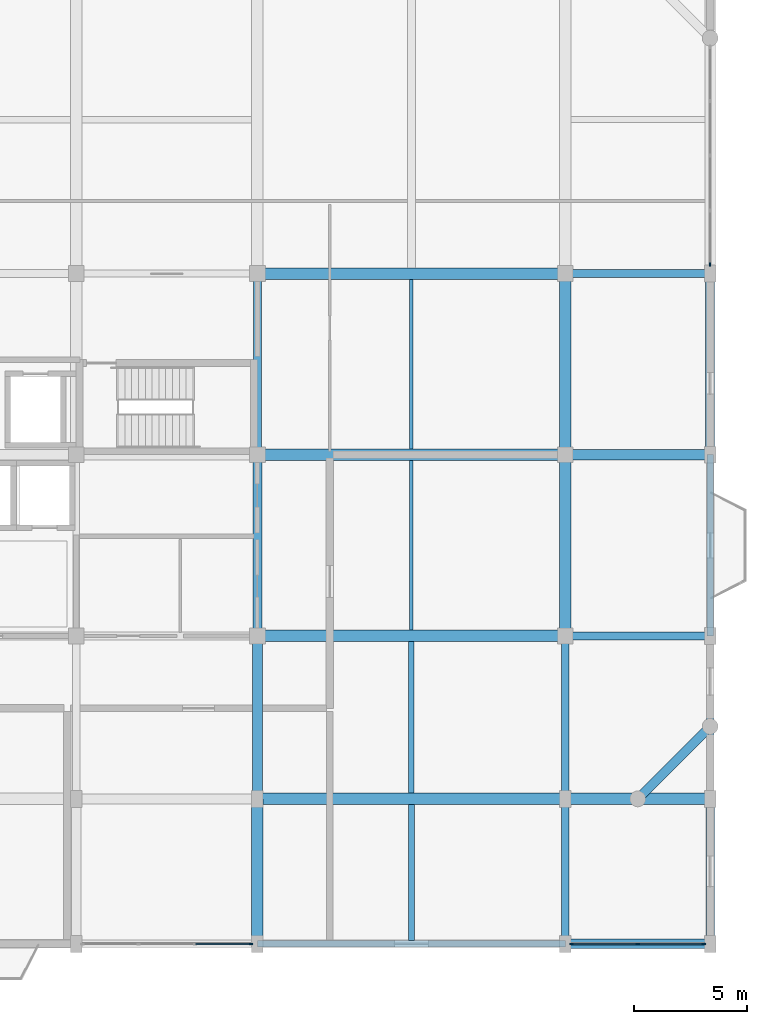
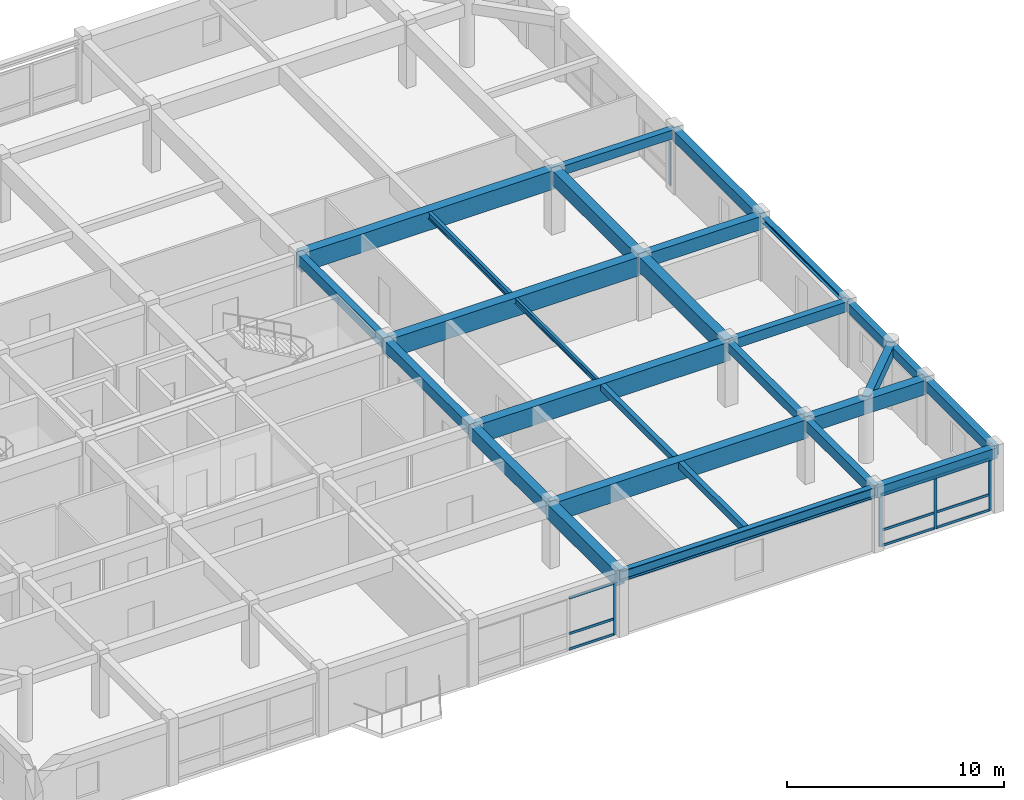
# One storey, part 4 of 13: 27 beams, 14 members, 3 elements without a shape of their own.
"""IFC4 building model written with IfcOpenShell, lengths in metres."""

import ifcopenshell
import ifcopenshell.guid

model = None  # the IFC model being written
_history = None  # IfcOwnerHistory: only IFC2X3 demands one
_inside = {}  # id of a spatial element -> (the spatial element, [elements in it])
_under = {}  # id of a project, library or spatial element -> (it, [spatial elements below it])
_declared = {}  # id of a project -> (the project, [libraries it declares])
_typed = {}  # id of a type object -> (the type object, [elements of that type])
_made_of = {}  # id of a material, layer set ... -> (it, [elements and type objects made of it])


def new_model(schema):
    """Start an empty IFC model of exactly this schema.

    Asked for "IFC4X3", IfcOpenShell would pick the latest addendum, in which some entities
    have other attributes; the version numbers below select the first issue.
    IFC2X3 requires an IfcOwnerHistory on every rooted entity: one is made here for all.
    """
    global model, _history
    if schema == "IFC4X3":
        model = ifcopenshell.file(schema_version=(4, 3, 0, 0))
    else:
        model = ifcopenshell.file(schema=schema)
    _inside.clear()
    _under.clear()
    _declared.clear()
    _typed.clear()
    _made_of.clear()
    _history = None
    if model.schema == "IFC2X3":
        org = make("IfcOrganization", Name="unknown")
        user = make(
            "IfcPersonAndOrganization",
            ThePerson=make("IfcPerson", FamilyName="unknown"),
            TheOrganization=org,
        )
        app = make(
            "IfcApplication",
            ApplicationDeveloper=org,
            Version="unknown",
            ApplicationFullName="unknown",
            ApplicationIdentifier="unknown",
        )
        _history = make(
            "IfcOwnerHistory",
            OwningUser=user,
            OwningApplication=app,
            ChangeAction="ADDED",
            CreationDate=0,
        )
    return model


def make(cls, **values):
    """One entity of the class cls with the attributes given. An attribute that is None is left unset."""
    return model.create_entity(
        cls, **{name: value for name, value in values.items() if value is not None}
    )


def rooted(cls, **values):
    """An entity with a GlobalId (a new one), such as an element, a storey or a relation."""
    return make(cls, GlobalId=ifcopenshell.guid.new(), OwnerHistory=_history, **values)


def si_unit(unit_type, name, prefix=None):
    """IfcSIUnit, for example si_unit("LENGTHUNIT", "METRE", prefix="MILLI")."""
    return make("IfcSIUnit", UnitType=unit_type, Prefix=prefix, Name=name)


def assignment(units):
    """IfcUnitAssignment: the units of a project."""
    return None if units is None else make("IfcUnitAssignment", Units=units)


def point(xyz):
    """IfcCartesianPoint."""
    return None if xyz is None else make("IfcCartesianPoint", Coordinates=xyz)


def direction(xyz):
    """IfcDirection."""
    return None if xyz is None else make("IfcDirection", DirectionRatios=xyz)


def frame(location, z_axis=None, x_axis=None):
    """IfcAxis2Placement3D, a coordinate frame: its origin and axes. An axis left out is left unset."""
    return make(
        "IfcAxis2Placement3D",
        Location=point(location),
        Axis=direction(z_axis),
        RefDirection=direction(x_axis),
    )


def frame_2d(location, x_axis=None):
    """IfcAxis2Placement2D, a coordinate frame in the plane: its origin and x axis."""
    return make(
        "IfcAxis2Placement2D", Location=point(location), RefDirection=direction(x_axis)
    )


def origin():
    """The frame at (0, 0, 0) with its axes left unset."""
    return frame((0.0, 0.0, 0.0))


def origin_2d():
    """The frame at (0, 0) in the plane with its x axis left unset."""
    return frame_2d((0.0, 0.0))


def place(relative_to, where):
    """IfcLocalPlacement: puts the frame where relative to a parent placement (None: the world)."""
    return make(
        "IfcLocalPlacement", PlacementRelTo=relative_to, RelativePlacement=where
    )


def context(
    kind, dimensions, precision=None, world=None, true_north=None, identifier=None
):
    """IfcGeometricRepresentationContext, for example the 3D "Model" context."""
    return make(
        "IfcGeometricRepresentationContext",
        ContextIdentifier=identifier,
        ContextType=kind,
        CoordinateSpaceDimension=dimensions,
        Precision=precision,
        WorldCoordinateSystem=world,
        TrueNorth=true_north,
    )


def subcontext(parent, identifier, kind, view, scale=None):
    """IfcGeometricRepresentationSubContext, for example "Body" below "Model"."""
    return make(
        "IfcGeometricRepresentationSubContext",
        ContextIdentifier=identifier,
        ContextType=kind,
        ParentContext=parent,
        TargetScale=scale,
        TargetView=view,
    )


def project(units=None, contexts=None):
    """IfcProject with its units and contexts."""
    return rooted(
        "IfcProject",
        Name="project",
        RepresentationContexts=contexts,
        UnitsInContext=assignment(units),
    )


def spatial(cls, under=None, at=None, **own):
    """A site, building, storey or space (cls), placed at a placement, below another one or the project."""
    s = rooted(cls, ObjectPlacement=at, **own)
    if under is not None:
        _under.setdefault(under.id(), (under, []))[1].append(s)
    return s


def profile(cls, at=None, kind="AREA", **sizes):
    """A parametric profile (cls). Its sizes go by their IFC names, for example OverallWidth=200.0."""
    return make(cls, ProfileType=kind, Position=at, **sizes)


def rectangle(**sizes):
    """IfcRectangleProfileDef."""
    return profile("IfcRectangleProfileDef", **sizes)


def i_section(**sizes):
    """IfcIShapeProfileDef."""
    return profile("IfcIShapeProfileDef", **sizes)


def extrude(swept, where, along, depth):
    """IfcExtrudedAreaSolid: the profile swept, set in the frame where, extruded along a direction by depth."""
    return make(
        "IfcExtrudedAreaSolid",
        SweptArea=swept,
        Position=where,
        ExtrudedDirection=direction(along),
        Depth=depth,
    )


def shape(context_of_items, identifier, shape_type, items):
    """IfcShapeRepresentation: the items that make up one representation, for example the "Body"."""
    return make(
        "IfcShapeRepresentation",
        ContextOfItems=context_of_items,
        RepresentationIdentifier=identifier,
        RepresentationType=shape_type,
        Items=items,
    )


def material(Name=None, Category=None):
    """IfcMaterial."""
    return make("IfcMaterial", Name=Name, Category=Category)


def material_profile(
    of_material, cross_section, Name=None, Category=None, Priority=None
):
    """IfcMaterialProfile: a cross section and its material."""
    return make(
        "IfcMaterialProfile",
        Name=Name,
        Material=of_material,
        Profile=cross_section,
        Priority=Priority,
        Category=Category,
    )


def profile_set(profiles, Name=None, composite=None):
    """IfcMaterialProfileSet."""
    return make(
        "IfcMaterialProfileSet",
        Name=Name,
        MaterialProfiles=profiles,
        CompositeProfile=composite,
    )


def made_of(thing, what):
    """Note that an element or type object is made of a material, layer set ...; save() writes the relation."""
    if what is not None:
        _made_of.setdefault(what.id(), (what, []))[1].append(thing)
    return thing


def type_object(cls, material=None, **own):
    """A type object (cls), such as IfcWallType, which elements share."""
    return made_of(rooted(cls, **own), material)


def element(
    cls,
    number,
    at=None,
    inside=None,
    cuts=None,
    type_object=None,
    material=None,
    context=None,
    identifier="Body",
    shape_type=None,
    held_by="IfcProductDefinitionShape",
    body=None,
    shapes=None,
    **own,
):
    """One element of the class cls, such as IfcWall. Its Tag is "e" and its number.

    at: its placement. inside: the storey or other place that contains it. cuts: it is an
    opening in that element (IfcRelVoidsElement). A single representation is given by context,
    identifier, shape_type and body (its items); several are given by shapes. held_by: the class
    of the entity that holds the representations. save() writes the other relations.
    """
    e = rooted(cls, Tag="e%d" % number, ObjectPlacement=at, **own)
    if body is not None:
        shapes = [shape(context, identifier, shape_type, body)]
    if shapes is not None:
        e.Representation = make(held_by, Representations=shapes)
    if inside is not None:
        _inside.setdefault(inside.id(), (inside, []))[1].append(e)
    if cuts is not None:
        rooted(
            "IfcRelVoidsElement", RelatingBuildingElement=cuts, RelatedOpeningElement=e
        )
    if type_object is not None:
        _typed.setdefault(type_object.id(), (type_object, []))[1].append(e)
    return made_of(e, material)


def aggregate(whole, parts):
    """IfcRelAggregates: a whole, such as a stair, and the parts it consists of."""
    return rooted("IfcRelAggregates", RelatingObject=whole, RelatedObjects=parts)


def save(model, path):
    """Write the relations noted so far, then the file.

    IfcRelAggregates (storeys below a building ...), IfcRelContainedInSpatialStructure (elements
    in a storey), IfcRelDefinesByType, IfcRelAssociatesMaterial and IfcRelDeclares: one each for
    every whole, place, type object, material and project.
    """
    for whole, parts in _under.values():
        aggregate(whole, parts)
    for where, things in _inside.values():
        rooted(
            "IfcRelContainedInSpatialStructure",
            RelatedElements=things,
            RelatingStructure=where,
        )
    for kind, things in _typed.values():
        rooted("IfcRelDefinesByType", RelatedObjects=things, RelatingType=kind)
    for what, things in _made_of.values():
        rooted("IfcRelAssociatesMaterial", RelatedObjects=things, RelatingMaterial=what)
    for by, libraries in _declared.values():
        rooted("IfcRelDeclares", RelatingContext=by, RelatedDefinitions=libraries)
    model.write(path)


model = new_model("IFC4")

# Units and contexts
model_context = context("Model", 3, precision=1e-05, world=origin(), true_north=direction((0.0, 1.0)))
body_context = subcontext(model_context, "Body", "Model", "MODEL_VIEW")
ifc_project = project(units=[si_unit("LENGTHUNIT", "METRE"), si_unit("AREAUNIT", "SQUARE_METRE"), si_unit("VOLUMEUNIT", "CUBIC_METRE"), si_unit("PLANEANGLEUNIT", "RADIAN"), si_unit("MASSUNIT", "GRAM", prefix="KILO")], contexts=[model_context])

# Site, building, storey
site_placement = place(None, origin())
site = spatial("IfcSite", under=ifc_project, at=site_placement, CompositionType="ELEMENT")
building_placement = place(site_placement, origin())
building = spatial("IfcBuilding", under=site, at=building_placement, Name="Vellmiral Cinema and Media Centre", CompositionType="ELEMENT")
storey_placement = place(building_placement, frame((0.0, 0.0, 39.5)))
storey = spatial("IfcBuildingStorey", under=building, at=storey_placement, Name="L09", CompositionType="ELEMENT", Elevation=39.5)

# Beams
ifc_material_1 = material(Name="Concrete C40/50", Category="concrete")
ifc_material_profile_1 = material_profile(ifc_material_1, rectangle(XDim=0.35009765625, YDim=0.5, at=origin_2d()), Name="RC 350x500")
ifc_profile_set_1 = profile_set([ifc_material_profile_1], Name="Concrete C40/50")
beam_type_1 = type_object("IfcBeamType", Name="BM-RC-350x500", PredefinedType="BEAM", material=ifc_profile_set_1)
beam_1_placement = place(storey_placement, frame((161.60009765625, 95.199951171875, 3.284912109375), z_axis=(1.0, 0.0, 0.0), x_axis=(0.0, 1.0, 0.0)))
element("IfcBeam", 1, at=beam_1_placement, inside=storey, type_object=beam_type_1, Name="Grid Beam L09-X030", PredefinedType="BEAM", context=body_context, shape_type="SweptSolid", body=[
    extrude(rectangle(XDim=0.35009765625, YDim=0.5, at=origin_2d()), origin(), (0.0, 0.0, 1.0), 6.39990234375),
])
beam_2_placement = place(storey_placement, frame((161.60009765625, 72.0, 3.284912109375), z_axis=(0.0, 1.0, 0.0), x_axis=(-1.0, 0.0, 0.0)))
element("IfcBeam", 2, at=beam_2_placement, inside=storey, type_object=beam_type_1, Name="Grid Beam L09-Y073", PredefinedType="BEAM", context=body_context, shape_type="SweptSolid", body=[
    extrude(rectangle(XDim=0.35009765625, YDim=0.5, at=origin_2d()), origin(), (0.0, 0.0, 1.0), 7.199951171875),
])
ifc_material_2 = material(Name="Concrete C40/50", Category="concrete")
ifc_material_profile_2 = material_profile(ifc_material_2, rectangle(XDim=0.35009765625, YDim=0.550048828125, at=origin_2d()), Name="RC 350x550")
ifc_profile_set_2 = profile_set([ifc_material_profile_2], Name="Concrete C40/50")
beam_type_2 = type_object("IfcBeamType", Name="BM-RC-350x550", PredefinedType="BEAM", material=ifc_profile_set_2)
beam_3_placement = place(storey_placement, frame((161.60009765625, 79.199951171875, 3.260009765625), z_axis=(1.0, 0.0, 0.0), x_axis=(0.0, 1.0, 0.0)))
element("IfcBeam", 3, at=beam_3_placement, inside=storey, type_object=beam_type_2, Name="Grid Beam L09-X018", PredefinedType="BEAM", context=body_context, shape_type="SweptSolid", body=[
    extrude(rectangle(XDim=0.35009765625, YDim=0.550048828125, at=origin_2d()), origin(), (0.0, 0.0, 1.0), 6.39990234375),
])
ifc_material_3 = material(Name="Concrete C40/50", Category="concrete")
ifc_material_profile_3 = material_profile(ifc_material_3, rectangle(XDim=0.35009765625, YDim=0.60009765625, at=origin_2d()), Name="RC 350x600")
ifc_profile_set_3 = profile_set([ifc_material_profile_3], Name="Concrete C40/50")
beam_type_3 = type_object("IfcBeamType", Name="BM-RC-350x600", PredefinedType="BEAM", material=ifc_profile_set_3)
beam_4_placement = place(storey_placement, frame((148.0, 87.199951171875, 3.235107421875), z_axis=(0.0, 1.0, 0.0), x_axis=(-1.0, 0.0, 0.0)))
element("IfcBeam", 4, at=beam_4_placement, inside=storey, type_object=beam_type_3, Name="Grid Beam L09-Y069", PredefinedType="BEAM", context=body_context, shape_type="SweptSolid", body=[
    extrude(rectangle(XDim=0.35009765625, YDim=0.60009765625, at=origin_2d()), origin(), (0.0, 0.0, 1.0), 8.0),
])
beam_5_placement = place(storey_placement, frame((161.60009765625, 65.60009765625, 3.235107421875), z_axis=(0.0, 1.0, 0.0), x_axis=(-1.0, 0.0, 0.0)))
element("IfcBeam", 5, at=beam_5_placement, inside=storey, type_object=beam_type_3, Name="Grid Beam L09-Y072", PredefinedType="BEAM", context=body_context, shape_type="SweptSolid", body=[
    extrude(rectangle(XDim=0.35009765625, YDim=0.60009765625, at=origin_2d()), origin(), (0.0, 0.0, 1.0), 6.39990234375),
])
ifc_material_4 = material(Name="Concrete C40/50", Category="concrete")
ifc_material_profile_4 = material_profile(ifc_material_4, rectangle(XDim=0.39990234375, YDim=0.60009765625, at=origin_2d()), Name="RC 400x600")
ifc_profile_set_4 = profile_set([ifc_material_profile_4], Name="Concrete C40/50")
beam_type_4 = type_object("IfcBeamType", Name="BM-RC-400x600", PredefinedType="BEAM", material=ifc_profile_set_4)
beam_6_placement = place(storey_placement, frame((148.0, 79.199951171875, 3.235107421875), z_axis=(0.0, 1.0, 0.0), x_axis=(-1.0, 0.0, 0.0)))
element("IfcBeam", 6, at=beam_6_placement, inside=storey, type_object=beam_type_4, Name="Grid Beam L09-Y068", PredefinedType="BEAM", context=body_context, shape_type="SweptSolid", body=[
    extrude(rectangle(XDim=0.39990234375, YDim=0.60009765625, at=origin_2d()), origin(), (0.0, 0.0, 1.0), 8.0),
])
ifc_material_5 = material(Name="Concrete C40/50", Category="concrete")
ifc_material_profile_5 = material_profile(ifc_material_5, rectangle(XDim=0.449951171875, YDim=0.75, at=origin_2d()), Name="RC 450x750")
ifc_profile_set_5 = profile_set([ifc_material_profile_5], Name="Concrete C40/50")
beam_type_5 = type_object("IfcBeamType", Name="BM-RC-450x750", PredefinedType="BEAM", material=ifc_profile_set_5)
beam_7_placement = place(storey_placement, frame((161.60009765625, 87.199951171875, 3.159912109375), z_axis=(1.0, 0.0, 0.0), x_axis=(0.0, 1.0, 0.0)))
element("IfcBeam", 7, at=beam_7_placement, inside=storey, type_object=beam_type_5, Name="Grid Beam L09-X024", PredefinedType="BEAM", context=body_context, shape_type="SweptSolid", body=[
    extrude(rectangle(XDim=0.449951171875, YDim=0.75, at=origin_2d()), origin(), (0.0, 0.0, 1.0), 6.39990234375),
])
beam_8_placement = place(storey_placement, frame((148.0, 72.0, 3.159912109375), z_axis=(0.0, 1.0, 0.0), x_axis=(-1.0, 0.0, 0.0)))
element("IfcBeam", 8, at=beam_8_placement, inside=storey, type_object=beam_type_5, Name="Grid Beam L09-Y067", PredefinedType="BEAM", context=body_context, shape_type="SweptSolid", body=[
    extrude(rectangle(XDim=0.449951171875, YDim=0.75, at=origin_2d()), origin(), (0.0, 0.0, 1.0), 7.199951171875),
])
ifc_material_6 = material(Name="Concrete C40/50", Category="concrete")
ifc_material_profile_6 = material_profile(ifc_material_6, rectangle(XDim=0.5, YDim=0.800048828125, at=origin_2d()), Name="RC 500x800")
ifc_profile_set_6 = profile_set([ifc_material_profile_6], Name="Concrete C40/50")
beam_type_6 = type_object("IfcBeamType", Name="BM-RC-500x800", PredefinedType="BEAM", material=ifc_profile_set_6)
beam_9_placement = place(storey_placement, frame((161.60009765625, 72.0, 3.135009765625), z_axis=(1.0, 0.0, 0.0), x_axis=(0.0, 1.0, 0.0)))
element("IfcBeam", 9, at=beam_9_placement, inside=storey, type_object=beam_type_6, Name="Grid Beam L09-X012", PredefinedType="BEAM", context=body_context, shape_type="SweptSolid", body=[
    extrude(rectangle(XDim=0.5, YDim=0.800048828125, at=origin_2d()), origin(), (0.0, 0.0, 1.0), 6.39990234375),
])
beam_10_placement = place(storey_placement, frame((161.60009765625, 87.199951171875, 3.135009765625), z_axis=(0.0, 1.0, 0.0), x_axis=(-1.0, 0.0, 0.0)))
element("IfcBeam", 10, at=beam_10_placement, inside=storey, type_object=beam_type_6, Name="Grid Beam L09-Y075", PredefinedType="BEAM", context=body_context, shape_type="SweptSolid", body=[
    extrude(rectangle(XDim=0.5, YDim=0.800048828125, at=origin_2d()), origin(), (0.0, 0.0, 1.0), 8.0),
])
ifc_material_7 = material(Name="Concrete C40/50", Category="concrete")
ifc_material_profile_7 = material_profile(ifc_material_7, rectangle(XDim=0.5, YDim=0.85009765625, at=origin_2d()), Name="RC 500x850")
ifc_profile_set_7 = profile_set([ifc_material_profile_7], Name="Concrete C40/50")
beam_type_7 = type_object("IfcBeamType", Name="BM-RC-500x850", PredefinedType="BEAM", material=ifc_profile_set_7)
beam_11_placement = place(storey_placement, frame((148.0, 65.60009765625, 3.110107421875), z_axis=(0.0, 1.0, 0.0), x_axis=(-1.0, 0.0, 0.0)))
element("IfcBeam", 11, at=beam_11_placement, inside=storey, type_object=beam_type_7, Name="Grid Beam L09-Y066", PredefinedType="BEAM", context=body_context, shape_type="SweptSolid", body=[
    extrude(rectangle(XDim=0.5, YDim=0.85009765625, at=origin_2d()), origin(), (0.0, 0.0, 1.0), 6.39990234375),
])
beam_12_placement = place(storey_placement, frame((161.60009765625, 79.199951171875, 3.110107421875), z_axis=(0.0, 1.0, 0.0), x_axis=(-1.0, 0.0, 0.0)))
element("IfcBeam", 12, at=beam_12_placement, inside=storey, type_object=beam_type_7, Name="Grid Beam L09-Y074", PredefinedType="BEAM", context=body_context, shape_type="SweptSolid", body=[
    extrude(rectangle(XDim=0.5, YDim=0.85009765625, at=origin_2d()), origin(), (0.0, 0.0, 1.0), 8.0),
])
ifc_material_8 = material(Name="Concrete C40/50", Category="concrete")
ifc_material_profile_8 = material_profile(ifc_material_8, rectangle(XDim=0.5, YDim=1.050048828125, at=origin_2d()), Name="RC 500x1050")
ifc_profile_set_8 = profile_set([ifc_material_profile_8], Name="Concrete C40/50")
beam_type_8 = type_object("IfcBeamType", Name="BM-RCG-500x1050", PredefinedType="BEAM", material=ifc_profile_set_8)
for number, where, z_axis, x_axis, name in (
    (13, (148.0, 72.0, 3.010009765625), (1.0, 0.0, 0.0), (0.0, 1.0, 0.0), "Grid Beam L09-X011"),
    (14, (148.0, 79.199951171875, 3.010009765625), (1.0, 0.0, 0.0), (0.0, 1.0, 0.0), "Grid Beam L09-X017"),
    (15, (148.0, 87.199951171875, 3.010009765625), (1.0, 0.0, 0.0), (0.0, 1.0, 0.0), "Grid Beam L09-X023"),
    (16, (148.0, 95.199951171875, 3.010009765625), (1.0, 0.0, 0.0), (0.0, 1.0, 0.0), "Grid Beam L09-X029"),
):
    element("IfcBeam", number, at=place(storey_placement, frame(where, z_axis=z_axis, x_axis=x_axis)), inside=storey, type_object=beam_type_8, Name=name, PredefinedType="BEAM", context=body_context, shape_type="SweptSolid", body=[
        extrude(rectangle(XDim=0.5, YDim=1.050048828125, at=origin_2d()), origin(), (0.0, 0.0, 1.0), 13.60009765625),
    ])

# Curtain wall, member
ifc_material_9 = material(Name="Thermally Broken Aluminium and Triple Glazing", Category="aluminium")
curtain_wall_type = type_object("IfcCurtainWallType", Name="CW-TOWER-MID-E", PredefinedType="USERDEFINED", material=ifc_material_9)
curtain_wall_1_placement = place(storey_placement, origin())
curtain_wall_1 = element("IfcCurtainWall", 17, at=curtain_wall_1_placement, inside=storey, type_object=curtain_wall_type, Name="Curtain Wall L09-B004", ObjectType="UNITISED CURTAIN WALL", PredefinedType="USERDEFINED")
ifc_material_10 = material(Name="Thermally Broken Anodised Aluminium", Category="aluminium")
ifc_material_profile_9 = material_profile(ifc_material_10, rectangle(XDim=0.06494140625, YDim=0.159912109375, at=origin_2d()), Name="MULL 65x160")
ifc_profile_set_9 = profile_set([ifc_material_profile_9], Name="Thermally Broken Anodised Aluminium")
member_type_1 = type_object("IfcMemberType", Name="CWM-65x160", PredefinedType="MULLION", material=ifc_profile_set_9)
member_1_placement = place(storey_placement, frame((147.717529296875, 65.60009765625, 0.0), z_axis=(0.0, 0.0, 1.0), x_axis=(0.0, 1.0, 0.0)))
member_1 = element("IfcMember", 18, at=member_1_placement, type_object=member_type_1, Name="CW-07 mullion 4", PredefinedType="MULLION", context=body_context, shape_type="SweptSolid", body=[
    extrude(rectangle(XDim=0.06494140625, YDim=0.159912109375, at=origin_2d()), origin(), (0.0, 0.0, 1.0), 2.93994140625),
])

# Curtain wall, members
curtain_wall_2_placement = place(storey_placement, origin())
curtain_wall_2 = element("IfcCurtainWall", 19, at=curtain_wall_2_placement, inside=storey, type_object=curtain_wall_type, Name="Curtain Wall L09-B006", ObjectType="UNITISED CURTAIN WALL", PredefinedType="USERDEFINED")
member_2_placement = place(storey_placement, frame((161.882568359375, 65.60009765625, 0.0), z_axis=(0.0, 0.0, 1.0), x_axis=(0.0, 1.0, 0.0)))
member_2 = element("IfcMember", 20, at=member_2_placement, type_object=member_type_1, Name="CW-07 mullion 1", PredefinedType="MULLION", context=body_context, shape_type="SweptSolid", body=[
    extrude(rectangle(XDim=0.06494140625, YDim=0.159912109375, at=origin_2d()), origin(), (0.0, 0.0, 1.0), 2.925048828125),
])
member_3_placement = place(storey_placement, frame((164.800048828125, 65.60009765625, 0.0), z_axis=(0.0, 0.0, 1.0), x_axis=(0.0, 1.0, 0.0)))
member_3 = element("IfcMember", 21, at=member_3_placement, type_object=member_type_1, Name="CW-07 mullion 2", PredefinedType="MULLION", context=body_context, shape_type="SweptSolid", body=[
    extrude(rectangle(XDim=0.06494140625, YDim=0.159912109375, at=origin_2d()), origin(), (0.0, 0.0, 1.0), 2.925048828125),
])
member_4_placement = place(storey_placement, frame((167.717529296875, 65.60009765625, 0.0), z_axis=(0.0, 0.0, 1.0), x_axis=(0.0, 1.0, 0.0)))
member_4 = element("IfcMember", 22, at=member_4_placement, type_object=member_type_1, Name="CW-07 mullion 3", PredefinedType="MULLION", context=body_context, shape_type="SweptSolid", body=[
    extrude(rectangle(XDim=0.06494140625, YDim=0.159912109375, at=origin_2d()), origin(), (0.0, 0.0, 1.0), 2.925048828125),
])

# Curtain wall, member
curtain_wall_3_placement = place(storey_placement, origin())
curtain_wall_3 = element("IfcCurtainWall", 23, at=curtain_wall_3_placement, inside=storey, type_object=curtain_wall_type, Name="Curtain Wall L09-B012", ObjectType="UNITISED CURTAIN WALL", PredefinedType="USERDEFINED")
member_5_placement = place(storey_placement, frame((168.0, 95.607421875, 0.0), z_axis=(0.0, 0.0, 1.0), x_axis=(-1.0, 0.0, 0.0)))
member_5 = element("IfcMember", 24, at=member_5_placement, type_object=member_type_1, Name="CW-07 mullion 1", PredefinedType="MULLION", context=body_context, shape_type="SweptSolid", body=[
    extrude(rectangle(XDim=0.06494140625, YDim=0.159912109375, at=origin_2d()), origin(), (0.0, 0.0, 1.0), 2.47509765625),
])
aggregate(curtain_wall_3, [member_5])

# Member
ifc_material_11 = material(Name="Thermally Broken Anodised Aluminium", Category="aluminium")
ifc_material_profile_10 = material_profile(ifc_material_11, rectangle(XDim=0.06494140625, YDim=0.135009765625, at=origin_2d()), Name="MULL 65x135")
ifc_profile_set_10 = profile_set([ifc_material_profile_10], Name="Thermally Broken Anodised Aluminium")
member_type_2 = type_object("IfcMemberType", Name="CWT-65x135", PredefinedType="USERDEFINED", material=ifc_profile_set_10)
member_6_placement = place(storey_placement, frame((145.282470703125, 65.60009765625, 0.032470703125), z_axis=(1.0, 0.0, 0.0), x_axis=(0.0, 1.0, 0.0)))
member_6 = element("IfcMember", 25, at=member_6_placement, type_object=member_type_2, Name="CW-07 transom 3.1", ObjectType="TRANSOM", PredefinedType="USERDEFINED", context=body_context, shape_type="SweptSolid", body=[
    extrude(rectangle(XDim=0.06494140625, YDim=0.135009765625, at=origin_2d()), origin(), (0.0, 0.0, 1.0), 2.402587890625),
])

member_7_placement = place(storey_placement, frame((145.282470703125, 65.60009765625, 0.89990234375), z_axis=(1.0, 0.0, 0.0), x_axis=(0.0, 1.0, 0.0)))
member_7 = element("IfcMember", 26, at=member_7_placement, type_object=member_type_2, Name="CW-07 transom 3.2", ObjectType="TRANSOM", PredefinedType="USERDEFINED", context=body_context, shape_type="SweptSolid", body=[
    extrude(rectangle(XDim=0.06494140625, YDim=0.135009765625, at=origin_2d()), origin(), (0.0, 0.0, 1.0), 2.402587890625),
])

member_8_placement = place(storey_placement, frame((145.282470703125, 65.60009765625, 2.907470703125), z_axis=(1.0, 0.0, 0.0), x_axis=(0.0, 1.0, 0.0)))
member_8 = element("IfcMember", 27, at=member_8_placement, type_object=member_type_2, Name="CW-07 transom 3.3", ObjectType="TRANSOM", PredefinedType="USERDEFINED", context=body_context, shape_type="SweptSolid", body=[
    extrude(rectangle(XDim=0.06494140625, YDim=0.135009765625, at=origin_2d()), origin(), (0.0, 0.0, 1.0), 2.402587890625),
])

aggregate(curtain_wall_1, [member_1, member_6, member_7, member_8])

member_9_placement = place(storey_placement, frame((161.9150390625, 65.60009765625, 0.032470703125), z_axis=(1.0, 0.0, 0.0), x_axis=(0.0, 1.0, 0.0)))
member_9 = element("IfcMember", 28, at=member_9_placement, type_object=member_type_2, Name="CW-07 transom 1.1", ObjectType="TRANSOM", PredefinedType="USERDEFINED", context=body_context, shape_type="SweptSolid", body=[
    extrude(rectangle(XDim=0.06494140625, YDim=0.135009765625, at=origin_2d()), origin(), (0.0, 0.0, 1.0), 2.8525390625),
])

member_10_placement = place(storey_placement, frame((161.9150390625, 65.60009765625, 0.89990234375), z_axis=(1.0, 0.0, 0.0), x_axis=(0.0, 1.0, 0.0)))
member_10 = element("IfcMember", 29, at=member_10_placement, type_object=member_type_2, Name="CW-07 transom 1.2", ObjectType="TRANSOM", PredefinedType="USERDEFINED", context=body_context, shape_type="SweptSolid", body=[
    extrude(rectangle(XDim=0.06494140625, YDim=0.135009765625, at=origin_2d()), origin(), (0.0, 0.0, 1.0), 2.8525390625),
])

member_11_placement = place(storey_placement, frame((161.9150390625, 65.60009765625, 2.892578125), z_axis=(1.0, 0.0, 0.0), x_axis=(0.0, 1.0, 0.0)))
member_11 = element("IfcMember", 30, at=member_11_placement, type_object=member_type_2, Name="CW-07 transom 1.3", ObjectType="TRANSOM", PredefinedType="USERDEFINED", context=body_context, shape_type="SweptSolid", body=[
    extrude(rectangle(XDim=0.06494140625, YDim=0.135009765625, at=origin_2d()), origin(), (0.0, 0.0, 1.0), 2.8525390625),
])

member_12_placement = place(storey_placement, frame((164.83251953125, 65.60009765625, 0.032470703125), z_axis=(1.0, 0.0, 0.0), x_axis=(0.0, 1.0, 0.0)))
member_12 = element("IfcMember", 31, at=member_12_placement, type_object=member_type_2, Name="CW-07 transom 2.1", ObjectType="TRANSOM", PredefinedType="USERDEFINED", context=body_context, shape_type="SweptSolid", body=[
    extrude(rectangle(XDim=0.06494140625, YDim=0.135009765625, at=origin_2d()), origin(), (0.0, 0.0, 1.0), 2.8525390625),
])

member_13_placement = place(storey_placement, frame((164.83251953125, 65.60009765625, 0.89990234375), z_axis=(1.0, 0.0, 0.0), x_axis=(0.0, 1.0, 0.0)))
member_13 = element("IfcMember", 32, at=member_13_placement, type_object=member_type_2, Name="CW-07 transom 2.2", ObjectType="TRANSOM", PredefinedType="USERDEFINED", context=body_context, shape_type="SweptSolid", body=[
    extrude(rectangle(XDim=0.06494140625, YDim=0.135009765625, at=origin_2d()), origin(), (0.0, 0.0, 1.0), 2.8525390625),
])

member_14_placement = place(storey_placement, frame((164.83251953125, 65.60009765625, 2.892578125), z_axis=(1.0, 0.0, 0.0), x_axis=(0.0, 1.0, 0.0)))
member_14 = element("IfcMember", 33, at=member_14_placement, type_object=member_type_2, Name="CW-07 transom 2.3", ObjectType="TRANSOM", PredefinedType="USERDEFINED", context=body_context, shape_type="SweptSolid", body=[
    extrude(rectangle(XDim=0.06494140625, YDim=0.135009765625, at=origin_2d()), origin(), (0.0, 0.0, 1.0), 2.8525390625),
])

aggregate(curtain_wall_2, [member_2, member_3, member_4, member_9, member_10, member_11, member_12, member_13, member_14])

# Beams
ifc_material_12 = material(Name="Concrete C40/50", Category="concrete")
ifc_material_profile_11 = material_profile(ifc_material_12, rectangle(XDim=0.25, YDim=0.35009765625, at=origin_2d()), Name="RC 250x350")
ifc_profile_set_11 = profile_set([ifc_material_profile_11], Name="Concrete C40/50")
beam_type_9 = type_object("IfcBeamType", Name="JST-RC-250x350", PredefinedType="JOIST", material=ifc_profile_set_11)
beam_13_placement = place(storey_placement, frame((154.800048828125, 72.25, 3.360107421875), z_axis=(0.0, 1.0, 0.0), x_axis=(-1.0, 0.0, 0.0)))
element("IfcBeam", 34, at=beam_13_placement, inside=storey, type_object=beam_type_9, Name="Secondary Floor Joist L09-006", PredefinedType="JOIST", context=body_context, shape_type="SweptSolid", body=[
    extrude(rectangle(XDim=0.25, YDim=0.35009765625, at=origin_2d()), origin(), (0.0, 0.0, 1.0), 6.699951171875),
])
ifc_material_13 = material(Name="Concrete C40/50", Category="concrete")
ifc_material_profile_12 = material_profile(ifc_material_13, rectangle(XDim=0.260009765625, YDim=0.3798828125, at=origin_2d()), Name="RC 260x380")
ifc_profile_set_12 = profile_set([ifc_material_profile_12], Name="Concrete C40/50")
beam_type_10 = type_object("IfcBeamType", Name="JST-RC-260x380", PredefinedType="JOIST", material=ifc_profile_set_12)
beam_14_placement = place(storey_placement, frame((154.800048828125, 65.75, 3.344970703125), z_axis=(0.0, 1.0, 0.0), x_axis=(-1.0, 0.0, 0.0)))
element("IfcBeam", 35, at=beam_14_placement, inside=storey, type_object=beam_type_10, Name="Secondary Floor Joist L09-005", PredefinedType="JOIST", context=body_context, shape_type="SweptSolid", body=[
    extrude(rectangle(XDim=0.260009765625, YDim=0.3798828125, at=origin_2d()), origin(), (0.0, 0.0, 1.0), 6.0),
])
ifc_material_14 = material(Name="Steel S355", Category="steel")
ifc_material_profile_13 = material_profile(ifc_material_14, i_section(OverallWidth=0.300048828125, OverallDepth=0.300048828125, WebThickness=0.010986328125, FlangeThickness=0.01904296875, FilletRadius=0.027099609375, at=origin_2d()), Name="HEB 300")
ifc_profile_set_13 = profile_set([ifc_material_profile_13], Name="Steel S355")
beam_type_11 = type_object("IfcBeamType", Name="SBM-HEB300", PredefinedType="SPANDREL", material=ifc_profile_set_13)
beam_15_placement = place(storey_placement, frame((168.0, 79.199951171875, 3.385009765625), z_axis=(0.0, 1.0, 0.0), x_axis=(-1.0, 0.0, 0.0)))
element("IfcBeam", 36, at=beam_15_placement, inside=storey, type_object=beam_type_11, Name="Grid Beam L09-Y080", PredefinedType="SPANDREL", context=body_context, shape_type="SweptSolid", body=[
    extrude(i_section(OverallWidth=0.300048828125, OverallDepth=0.300048828125, WebThickness=0.010986328125, FlangeThickness=0.01904296875, FilletRadius=0.027099609375, at=origin_2d()), origin(), (0.0, 0.0, 1.0), 8.0),
])
ifc_material_15 = material(Name="Steel S355", Category="steel")
ifc_material_profile_14 = material_profile(ifc_material_15, i_section(OverallWidth=0.300048828125, OverallDepth=0.60009765625, WebThickness=0.015380859375, FlangeThickness=0.030029296875, FilletRadius=0.027099609375, at=origin_2d()), Name="HEB 600")
ifc_profile_set_14 = profile_set([ifc_material_profile_14], Name="Steel S355")
beam_type_12 = type_object("IfcBeamType", Name="SBM-HEB600-SPD", PredefinedType="SPANDREL", material=ifc_profile_set_14)
beam_16_placement = place(storey_placement, frame((148.0, 65.60009765625, 3.235107421875), z_axis=(1.0, 0.0, 0.0), x_axis=(0.0, 1.0, 0.0)))
element("IfcBeam", 37, at=beam_16_placement, inside=storey, type_object=beam_type_12, Name="Grid Beam L09-X005", PredefinedType="SPANDREL", context=body_context, shape_type="SweptSolid", body=[
    extrude(i_section(OverallWidth=0.300048828125, OverallDepth=0.60009765625, WebThickness=0.015380859375, FlangeThickness=0.030029296875, FilletRadius=0.027099609375, at=origin_2d()), origin(), (0.0, 0.0, 1.0), 13.60009765625),
])
ifc_material_16 = material(Name="Steel S355", Category="steel")
ifc_material_profile_15 = material_profile(ifc_material_16, i_section(OverallWidth=0.14990234375, OverallDepth=0.300048828125, WebThickness=0.007080078125, FlangeThickness=0.0107421875, FilletRadius=0.014892578125, at=origin_2d()), Name="IPE 300")
ifc_profile_set_15 = profile_set([ifc_material_profile_15], Name="Steel S355")
beam_type_13 = type_object("IfcBeamType", Name="SBM-IPE300", PredefinedType="JOIST", material=ifc_profile_set_15)
beam_17_placement = place(storey_placement, frame((154.800048828125, 79.449951171875, 3.385009765625), z_axis=(0.0, 1.0, 0.0), x_axis=(-1.0, 0.0, 0.0)))
element("IfcBeam", 38, at=beam_17_placement, inside=storey, type_object=beam_type_13, Name="Secondary Floor Joist L09-007", PredefinedType="JOIST", context=body_context, shape_type="SweptSolid", body=[
    extrude(i_section(OverallWidth=0.14990234375, OverallDepth=0.300048828125, WebThickness=0.007080078125, FlangeThickness=0.0107421875, FilletRadius=0.014892578125, at=origin_2d()), origin(), (0.0, 0.0, 1.0), 7.5),
])
ifc_material_17 = material(Name="Steel S355", Category="steel")
ifc_material_profile_16 = material_profile(ifc_material_17, i_section(OverallWidth=0.169921875, OverallDepth=0.360107421875, WebThickness=0.008056640625, FlangeThickness=0.0126953125, FilletRadius=0.01806640625, at=origin_2d()), Name="IPE 360")
ifc_profile_set_16 = profile_set([ifc_material_profile_16], Name="Steel S355")
beam_type_14 = type_object("IfcBeamType", Name="SBM-IPE360", PredefinedType="JOIST", material=ifc_profile_set_16)
beam_18_placement = place(storey_placement, frame((154.800048828125, 87.449951171875, 3.35498046875), z_axis=(0.0, 1.0, 0.0), x_axis=(-1.0, 0.0, 0.0)))
element("IfcBeam", 39, at=beam_18_placement, inside=storey, type_object=beam_type_14, Name="Secondary Floor Joist L09-008", PredefinedType="JOIST", context=body_context, shape_type="SweptSolid", body=[
    extrude(i_section(OverallWidth=0.169921875, OverallDepth=0.360107421875, WebThickness=0.008056640625, FlangeThickness=0.0126953125, FilletRadius=0.01806640625, at=origin_2d()), origin(), (0.0, 0.0, 1.0), 7.5),
])
ifc_material_18 = material(Name="Concrete C40/50", Category="concrete")
ifc_material_profile_17 = material_profile(ifc_material_18, rectangle(XDim=0.39990234375, YDim=0.60009765625, at=origin_2d()), Name="RC 400x600")
ifc_profile_set_17 = profile_set([ifc_material_profile_17], Name="Concrete C40/50")
beam_type_15 = type_object("IfcBeamType", Name="SPD-RC-400x600", PredefinedType="SPANDREL", material=ifc_profile_set_17)
beam_19_placement = place(storey_placement, frame((161.60009765625, 65.60009765625, 3.235107421875), z_axis=(1.0, 0.0, 0.0), x_axis=(0.0, 1.0, 0.0)))
element("IfcBeam", 40, at=beam_19_placement, inside=storey, type_object=beam_type_15, Name="Grid Beam L09-X006", PredefinedType="SPANDREL", context=body_context, shape_type="SweptSolid", body=[
    extrude(rectangle(XDim=0.39990234375, YDim=0.60009765625, at=origin_2d()), origin(), (0.0, 0.0, 1.0), 6.39990234375),
])
beam_20_placement = place(storey_placement, frame((168.0, 87.199951171875, 3.235107421875), z_axis=(0.0, 1.0, 0.0), x_axis=(-1.0, 0.0, 0.0)))
element("IfcBeam", 41, at=beam_20_placement, inside=storey, type_object=beam_type_15, Name="Grid Beam L09-Y081", PredefinedType="SPANDREL", context=body_context, shape_type="SweptSolid", body=[
    extrude(rectangle(XDim=0.39990234375, YDim=0.60009765625, at=origin_2d()), origin(), (0.0, 0.0, 1.0), 8.0),
])
beam_21_placement = place(storey_placement, frame((164.800048828125, 72.0, 3.235107421875), z_axis=(0.707106781187, 0.707106781187, 0.0), x_axis=(-0.707106781187, 0.707106781187, 0.0)))
element("IfcBeam", 42, at=beam_21_placement, inside=storey, type_object=beam_type_15, Name="Xamfra Chamfer Spandrel Beam L09-085", PredefinedType="SPANDREL", context=body_context, shape_type="SweptSolid", body=[
    extrude(rectangle(XDim=0.39990234375, YDim=0.60009765625, at=origin_2d()), origin(), (0.0, 0.0, 1.0), 4.525390625),
])
ifc_material_19 = material(Name="Vosges Red Sandstone Masonry", Category="masonry")
ifc_material_profile_18 = material_profile(ifc_material_19, rectangle(XDim=0.340087890625, YDim=0.52001953125, at=origin_2d()), Name="SAND 340x520")
ifc_profile_set_18 = profile_set([ifc_material_profile_18], Name="Vosges Red Sandstone Masonry")
beam_type_16 = type_object("IfcBeamType", Name="SPD-SAND-340x520", PredefinedType="SPANDREL", material=ifc_profile_set_18)
beam_22_placement = place(storey_placement, frame((168.0, 72.0, 3.27490234375), z_axis=(0.0, 1.0, 0.0), x_axis=(-1.0, 0.0, 0.0)))
element("IfcBeam", 43, at=beam_22_placement, inside=storey, type_object=beam_type_16, Name="Grid Beam L09-Y079", PredefinedType="SPANDREL", context=body_context, shape_type="SweptSolid", body=[
    extrude(rectangle(XDim=0.340087890625, YDim=0.52001953125, at=origin_2d()), origin(), (0.0, 0.0, 1.0), 7.199951171875),
])
ifc_material_20 = material(Name="Vosges Red Sandstone Masonry", Category="masonry")
ifc_material_profile_19 = material_profile(ifc_material_20, rectangle(XDim=0.3798828125, YDim=0.580078125, at=origin_2d()), Name="SAND 380x580")
ifc_profile_set_19 = profile_set([ifc_material_profile_19], Name="Vosges Red Sandstone Masonry")
beam_type_17 = type_object("IfcBeamType", Name="SPD-SAND-380x580", PredefinedType="SPANDREL", material=ifc_profile_set_19)
beam_23_placement = place(storey_placement, frame((168.0, 65.60009765625, 3.2451171875), z_axis=(0.0, 1.0, 0.0), x_axis=(-1.0, 0.0, 0.0)))
element("IfcBeam", 44, at=beam_23_placement, inside=storey, type_object=beam_type_17, Name="Grid Beam L09-Y078", PredefinedType="SPANDREL", context=body_context, shape_type="SweptSolid", body=[
    extrude(rectangle(XDim=0.3798828125, YDim=0.580078125, at=origin_2d()), origin(), (0.0, 0.0, 1.0), 6.39990234375),
])

save(model, "model.ifc")
